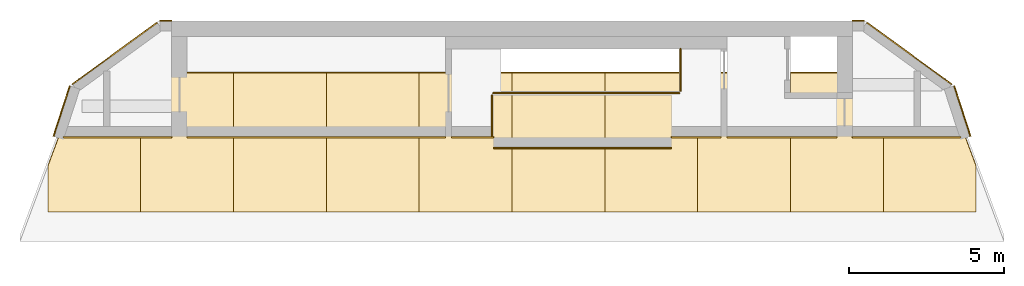
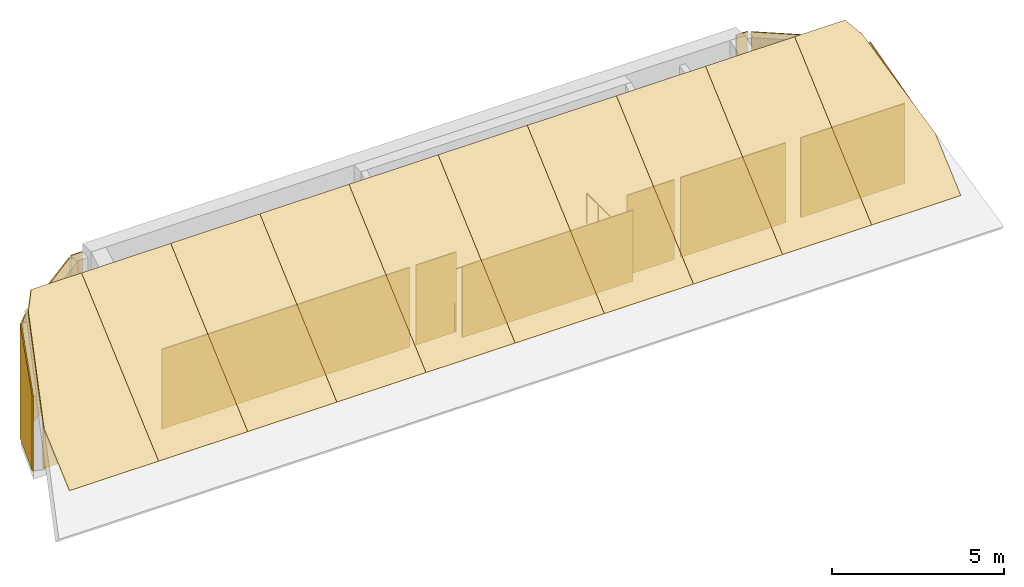
# One storey, part 2 of 2: 23 coverings, 3 railings.
"""IFC4 building model written with IfcOpenShell, lengths in metres."""

from ifc_helpers import new_model, si_unit, direction, frame, origin, origin_2d, place, context, subcontext, project, spatial, polyline, circle, outline, extrude, material, layer, layer_set, type_object, element, save


model = new_model("IFC4")

# Units and contexts
model_context = context("Model", 3, precision=1e-05, world=origin(), true_north=direction((0.0, 1.0)))
body_context = subcontext(model_context, "Body", "Model", "MODEL_VIEW")
ifc_project = project(units=[si_unit("LENGTHUNIT", "METRE"), si_unit("AREAUNIT", "SQUARE_METRE"), si_unit("VOLUMEUNIT", "CUBIC_METRE"), si_unit("PLANEANGLEUNIT", "RADIAN"), si_unit("MASSUNIT", "GRAM", prefix="KILO")], contexts=[model_context])

# Site, building, storey
site_placement = place(None, origin())
site = spatial("IfcSite", under=ifc_project, at=site_placement, CompositionType="ELEMENT")
building_placement = place(site_placement, origin())
building = spatial("IfcBuilding", under=site, at=building_placement, Name="White Candle Pilgrim Tower", CompositionType="ELEMENT")
storey_placement = place(building_placement, frame((0.0, 0.0, 355.699951171875)))
storey = spatial("IfcBuildingStorey", under=building, at=storey_placement, Name="L83", CompositionType="ELEMENT", Elevation=355.699951171875)

# Coverings
ifc_material_1 = material(Name="Zinc standing seam")
ifc_layer_1 = layer(ifc_material_1, 0.050048828125)
ifc_layer_set_1 = layer_set([ifc_layer_1], Name="Roof covering CL2 zinc standing seam 50")
covering_type_1 = type_object("IfcCoveringType", Name="Roof covering CL2 zinc standing seam 50", PredefinedType="ROOFING", material=ifc_layer_set_1)
covering_1_placement = place(storey_placement, frame((58.0, 86.32861328125, 4.820068359375), z_axis=(-4.435724e-06, -0.662916932379, 0.748692954919), x_axis=(-6e-12, -0.748692954926, -0.662916932386)))
element("IfcCovering", 1, at=covering_1_placement, inside=storey, type_object=covering_type_1, Name="Roof covering 73", PredefinedType="ROOFING", context=body_context, shape_type="SweptSolid", body=[
    extrude(outline(polyline([(0.0, 0.0), (6.000047127214957, 0.0), (6.000047127233402, -2.9999999999704863), (4.024935619329754, -3.000000000034116), (3.9095717751204146, -2.9680175785193503), (3.2416385507450527, -2.782226562385733), (2.5738671713238865, -2.5964355470629052), (1.905933946948525, -2.410644530929289), (1.2381625675273606, -2.2250976562314584), (0.5703911881061949, -2.039306640908631), (1.0426604230942228e-11, -1.695800781233317), (0.0, 0.0)])), origin(), (0.0, 0.0, -1.0), 0.050048828125),
])
for number, where, z_axis, x_axis, name in (
    (2, (58.0, 81.83642578125, 0.842529296875), (0.0, -0.66291797017, 0.748692036038), (0.0, 0.748692036038, 0.66291797017), "Roof covering 74"),
    (3, (61.0, 81.83642578125, 0.842529296875), (0.0, -0.66291797017, 0.748692036038), (0.0, 0.748692036038, 0.66291797017), "Roof covering 75"),
    (4, (64.0, 81.83642578125, 0.842529296875), (0.0, -0.66291797017, 0.748692036038), (0.0, 0.748692036038, 0.66291797017), "Roof covering 76"),
    (5, (67.0, 81.83642578125, 0.842529296875), (0.0, -0.66291797017, 0.748692036038), (0.0, 0.748692036038, 0.66291797017), "Roof covering 77"),
    (6, (70.0, 81.83642578125, 0.842529296875), (0.0, -0.66291797017, 0.748692036038), (0.0, 0.748692036038, 0.66291797017), "Roof covering 78"),
    (7, (73.0, 81.83642578125, 0.842529296875), (0.0, -0.66291797017, 0.748692036038), (0.0, 0.748692036038, 0.66291797017), "Roof covering 79"),
    (8, (76.0, 81.83642578125, 0.842529296875), (0.0, -0.66291797017, 0.748692036038), (0.0, 0.748692036038, 0.66291797017), "Roof covering 80"),
    (9, (79.0, 81.83642578125, 0.842529296875), (0.0, -0.66291797017, 0.748692036038), (0.0, 0.748692036038, 0.66291797017), "Roof covering 81"),
):
    element("IfcCovering", number, at=place(storey_placement, frame(where, z_axis=z_axis, x_axis=x_axis)), inside=storey, type_object=covering_type_1, Name=name, PredefinedType="ROOFING", context=body_context, shape_type="SweptSolid", body=[
        extrude(outline(polyline([(0.0, 0.0), (6.000047127220721, 0.0), (6.000047127220721, -3.0), (0.0, -3.0), (0.0, 0.0)])), origin(), (0.0, 0.0, -1.0), 0.050048828125),
    ])
covering_2_placement = place(storey_placement, frame((85.0, 81.83642578125, 0.842529296875), z_axis=(4.435724e-06, -0.662916932379, 0.748692954919), x_axis=(-0.99999999999, -2.940517e-06, 3.320996e-06)))
element("IfcCovering", 10, at=covering_2_placement, inside=storey, type_object=covering_type_1, Name="Roof covering 82", PredefinedType="ROOFING", context=body_context, shape_type="SweptSolid", body=[
    extrude(outline(polyline([(0.0, 0.0), (2.9999999999704867, 0.0), (3.000000000007378, -6.000047127214957), (1.3041992187740608, -6.000047127214957), (0.9606933590952397, -5.4296559391213), (0.7749023437683061, -4.761884559701277), (0.5893554690663702, -4.094113180281253), (0.4035644529286466, -3.426179955907034), (0.21777343760171305, -2.7584085764870103), (0.031982421463989524, -2.0904753521127915), (-5.1485363882274396e-11, -1.9751115079036485), (0.0, 0.0)])), origin(), (0.0, 0.0, -1.0), 0.050048828125),
])

# Railings
ifc_material_2 = material(Name="Stainless steel", Category="steel")
railing_type = type_object("IfcRailingType", Name="Stair guard stainless steel 1100 mm", PredefinedType="GUARDRAIL", material=ifc_material_2)
for number, where, name in (
    (11, (69.35009765625, 84.25, 0.0), "L83 ST12 top well guard 1"),
    (12, (75.449951171875, 85.75, 0.0), "L83 ST12 top well guard 2"),
):
    element("IfcRailing", number, at=place(storey_placement, frame(where)), inside=storey, type_object=railing_type, Name=name, PredefinedType="GUARDRAIL", context=body_context, shape_type="SweptSolid", body=[
        extrude(circle(Radius=0.02392578125, at=origin_2d()), frame((0.0, 0.0, 1.076171875), z_axis=(0.0, 1.0, 0.0), x_axis=(-1.0, 0.0, 0.0)), (0.0, 0.0, 1.0), 1.35009765625),
        extrude(circle(Radius=0.02099609375, at=origin_2d()), origin(), (0.0, 0.0, 1.0), 1.052001953125),
        extrude(circle(Radius=0.02099609375, at=origin_2d()), frame((0.0, 0.675048828125, 0.0)), (0.0, 0.0, 1.0), 1.052001953125),
        extrude(circle(Radius=0.02099609375, at=origin_2d()), frame((0.0, 1.35009765625, 0.0)), (0.0, 0.0, 1.0), 1.052001953125),
    ])
railing_placement = place(storey_placement, frame((69.39990234375, 85.675048828125, 0.0)))
element("IfcRailing", 13, at=railing_placement, inside=storey, type_object=railing_type, Name="L83 ST12 top well guard 3", PredefinedType="GUARDRAIL", context=body_context, shape_type="SweptSolid", body=[
    extrude(circle(Radius=0.02392578125, at=origin_2d()), frame((0.0, 0.0, 1.076171875), z_axis=(1.0, 0.0, 0.0), x_axis=(0.0, 1.0, 0.0)), (0.0, 0.0, 1.0), 6.0),
    extrude(circle(Radius=0.02099609375, at=origin_2d()), origin(), (0.0, 0.0, 1.0), 1.052001953125),
    extrude(circle(Radius=0.02099609375, at=origin_2d()), frame((1.199951171875, 0.0, 0.0)), (0.0, 0.0, 1.0), 1.052001953125),
    extrude(circle(Radius=0.02099609375, at=origin_2d()), frame((2.39990234375, 0.0, 0.0)), (0.0, 0.0, 1.0), 1.052001953125),
    extrude(circle(Radius=0.02099609375, at=origin_2d()), frame((3.60009765625, 0.0, 0.0)), (0.0, 0.0, 1.0), 1.052001953125),
    extrude(circle(Radius=0.02099609375, at=origin_2d()), frame((4.800048828125, 0.0, 0.0)), (0.0, 0.0, 1.0), 1.052001953125),
    extrude(circle(Radius=0.02099609375, at=origin_2d()), frame((6.0, 0.0, 0.0)), (0.0, 0.0, 1.0), 1.052001953125),
])

# Coverings
ifc_layer_2 = layer(ifc_material_1, 0.0400390625)
ifc_layer_set_2 = layer_set([ifc_layer_2], Name="Zinc wall cladding CL3 40")
covering_type_2 = type_object("IfcCoveringType", Name="Zinc wall cladding CL3 40", PredefinedType="CLADDING", material=ifc_layer_set_2)
covering_3_placement = place(storey_placement, frame((84.802001953125, 84.27294921875, 2.65625), z_axis=(-0.951064438163, -0.308992612309, 0.0), x_axis=(-0.236360281096, 0.727505606897, 0.64410357044)))
element("IfcCovering", 14, at=covering_3_placement, inside=storey, type_object=covering_type_2, Name="Zinc wall cladding L83 ENE", PredefinedType="CLADDING", context=body_context, shape_type="SweptSolid", body=[
    extrude(outline(polyline([(0.0, 0.0), (2.239364721289001, -2.220446049250313e-16), (-0.40057930716548107, 3.135201183070902), (-1.7109001089816993, 2.0318673380874084), (0.0, 0.0)])), origin(), (0.0, 0.0, -1.0), 0.0400390625),
])
covering_4_placement = place(storey_placement, frame((84.21435546875, 85.982177734375, 4.0986328125), z_axis=(0.58777697548, 0.809023007639, 1.4339987e-05), x_axis=(-0.717556900384, 0.521316201365, 0.461889069913)))
element("IfcCovering", 15, at=covering_4_placement, inside=storey, type_object=covering_type_2, Name="Zinc wall cladding L83 NE chamfer", PredefinedType="CLADDING", context=body_context, shape_type="SweptSolid", body=[
    extrude(outline(polyline([(0.0, 0.0), (0.2193564812013316, 0.0), (3.0455823620682447, -1.4718089472604508), (1.1056708216106992, -5.196903987350905), (-1.8931136976807112, -3.6352319672753906), (0.0, 0.0)])), origin(), (0.0, 0.0, -1.0), 0.0400390625),
])
for number, where, z_axis, x_axis, name in (
    (16, (81.385009765625, 88.0, 4.199951171875), (0.0, -1.0, 0.0), (-1.0, 0.0, 0.0), "Zinc wall cladding L83 N"),
    (17, (59.0, 88.0, 4.199951171875), (0.0, -1.0, 0.0), (-1.0, 0.0, 0.0), "Zinc wall cladding L83 N"),
):
    element("IfcCovering", number, at=place(storey_placement, frame(where, z_axis=z_axis, x_axis=x_axis)), inside=storey, type_object=covering_type_2, Name=name, PredefinedType="CLADDING", context=body_context, shape_type="SweptSolid", body=[
        extrude(outline(polyline([(0.0, 0.0), (0.385009765625, 0.0), (0.385009765625, 4.199951171875), (0.0, 4.199951171875), (0.0, 0.0)])), origin(), (0.0, 0.0, -1.0), 0.0400390625),
    ])
covering_5_placement = place(storey_placement, frame((58.52099609375, 87.969482421875, 4.199951171875), z_axis=(-0.58777697548, 0.809023007639, 1.4339987e-05), x_axis=(-0.809023007723, -0.587776975541, 5.36e-10)))
element("IfcCovering", 18, at=covering_5_placement, inside=storey, type_object=covering_type_2, Name="Zinc wall cladding L83 NW chamfer", PredefinedType="CLADDING", context=body_context, shape_type="SweptSolid", body=[
    extrude(outline(polyline([(0.0, 0.0), (3.1864987536350737, -3.3881317890172014e-21), (3.3810542869143116, -0.10131836119608992), (3.381054284719351, -4.199951173274679), (-2.249220466545805e-09, -4.199951171443171), (0.0, 0.0)])), origin(), (0.0, 0.0, -1.0), 0.0400390625),
])
covering_6_placement = place(storey_placement, frame((55.727294921875, 85.902099609375, 4.0986328125), z_axis=(0.951064438163, -0.308992612309, 0.0), x_axis=(-0.236360281096, -0.727505606897, -0.64410357044)))
element("IfcCovering", 19, at=covering_6_placement, inside=storey, type_object=covering_type_2, Name="Zinc wall cladding L83 WNW", PredefinedType="CLADDING", context=body_context, shape_type="SweptSolid", body=[
    extrude(outline(polyline([(0.0, 0.0), (2.239364721289001, 2.220446049250313e-16), (3.950264830270701, 2.031867338087409), (2.6399440284544826, 3.135201183070902), (0.0, 0.0)])), origin(), (0.0, 0.0, -1.0), 0.0400390625),
])
covering_7_placement = place(storey_placement, frame((55.491943359375, 84.27294921875, 2.841796875), z_axis=(0.0, 1.0, 0.0), x_axis=(1.0, 0.0, 0.0)))
element("IfcCovering", 20, at=covering_7_placement, inside=storey, type_object=covering_type_2, Name="Zinc wall cladding L83 S", PredefinedType="CLADDING", context=body_context, shape_type="SweptSolid", body=[
    extrude(outline(polyline([(0.0, 0.0), (3.508056640625, 0.0), (3.508056640625, 2.841796875), (0.0, 2.841796875), (0.0, 0.0)])), origin(), (0.0, 0.0, -1.0), 0.0400390625),
])
covering_8_placement = place(storey_placement, frame((59.5, 84.27294921875, 2.841796875), z_axis=(0.0, 1.0, 0.0), x_axis=(1.0, 0.0, 0.0)))
element("IfcCovering", 21, at=covering_8_placement, inside=storey, type_object=covering_type_2, Name="Zinc wall cladding L83 S", PredefinedType="CLADDING", context=body_context, shape_type="SweptSolid", body=[
    extrude(outline(polyline([(0.0, 0.0), (8.35009765625, 0.0), (8.35009765625, 2.841796875), (0.0, 2.841796875), (0.0, 0.0)])), origin(), (0.0, 0.0, -1.0), 0.0400390625),
])
covering_9_placement = place(storey_placement, frame((68.050048828125, 84.27294921875, 2.841796875), z_axis=(0.0, 1.0, 0.0), x_axis=(1.0, 0.0, 0.0)))
element("IfcCovering", 22, at=covering_9_placement, inside=storey, type_object=covering_type_2, Name="Zinc wall cladding L83 S", PredefinedType="CLADDING", context=body_context, shape_type="SweptSolid", body=[
    extrude(outline(polyline([(0.0, 0.0), (1.35205078125, 0.0), (1.35205078125, 2.841796875), (0.0, 2.841796875), (0.0, 0.0)])), origin(), (0.0, 0.0, -1.0), 0.0400390625),
])
covering_10_placement = place(storey_placement, frame((75.14794921875, 84.27294921875, 2.841796875), z_axis=(0.0, 1.0, 0.0), x_axis=(1.0, 0.0, 0.0)))
element("IfcCovering", 23, at=covering_10_placement, inside=storey, type_object=covering_type_2, Name="Zinc wall cladding L83 S", PredefinedType="CLADDING", context=body_context, shape_type="SweptSolid", body=[
    extrude(outline(polyline([(0.0, 0.0), (1.60205078125, 0.0), (1.60205078125, 2.841796875), (0.0, 2.841796875), (0.0, 0.0)])), origin(), (0.0, 0.0, -1.0), 0.0400390625),
])
covering_11_placement = place(storey_placement, frame((76.949951171875, 84.27294921875, 2.841796875), z_axis=(0.0, 1.0, 0.0), x_axis=(1.0, 0.0, 0.0)))
element("IfcCovering", 24, at=covering_11_placement, inside=storey, type_object=covering_type_2, Name="Zinc wall cladding L83 S", PredefinedType="CLADDING", context=body_context, shape_type="SweptSolid", body=[
    extrude(outline(polyline([(0.0, 0.0), (3.550048828125, 0.0), (3.550048828125, 2.841796875), (0.0, 2.841796875), (0.0, 0.0)])), origin(), (0.0, 0.0, -1.0), 0.0400390625),
])
covering_12_placement = place(storey_placement, frame((81.0, 84.27294921875, 2.841796875), z_axis=(0.0, 1.0, 0.0), x_axis=(1.0, 0.0, 0.0)))
element("IfcCovering", 25, at=covering_12_placement, inside=storey, type_object=covering_type_2, Name="Zinc wall cladding L83 S", PredefinedType="CLADDING", context=body_context, shape_type="SweptSolid", body=[
    extrude(outline(polyline([(0.0, 0.0), (3.508056640625, 0.0), (3.508056640625, 2.841796875), (0.0, 2.841796875), (0.0, 0.0)])), origin(), (0.0, 0.0, -1.0), 0.0400390625),
])
covering_13_placement = place(storey_placement, frame((69.402099609375, 83.919921875, 2.529052734375), z_axis=(0.0, 1.0, 0.0), x_axis=(1.0, 0.0, 0.0)))
element("IfcCovering", 26, at=covering_13_placement, inside=storey, type_object=covering_type_2, Name="Zinc wall cladding L83 S", PredefinedType="CLADDING", context=body_context, shape_type="SweptSolid", body=[
    extrude(outline(polyline([(0.0, 0.0), (5.745849609375, 0.0), (5.745849609375, 2.529052734375), (0.0, 2.529052734375), (0.0, 0.0)])), origin(), (0.0, 0.0, -1.0), 0.0400390625),
])

save(model, "model.ifc")
